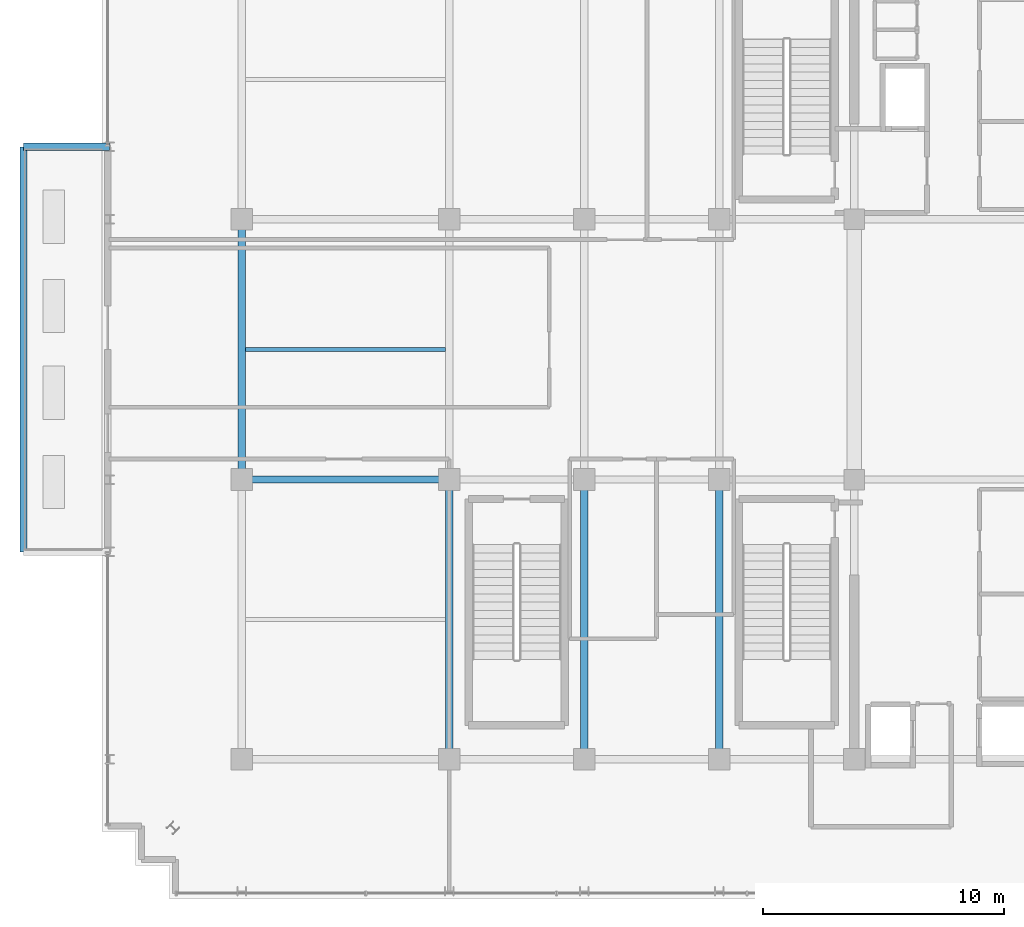
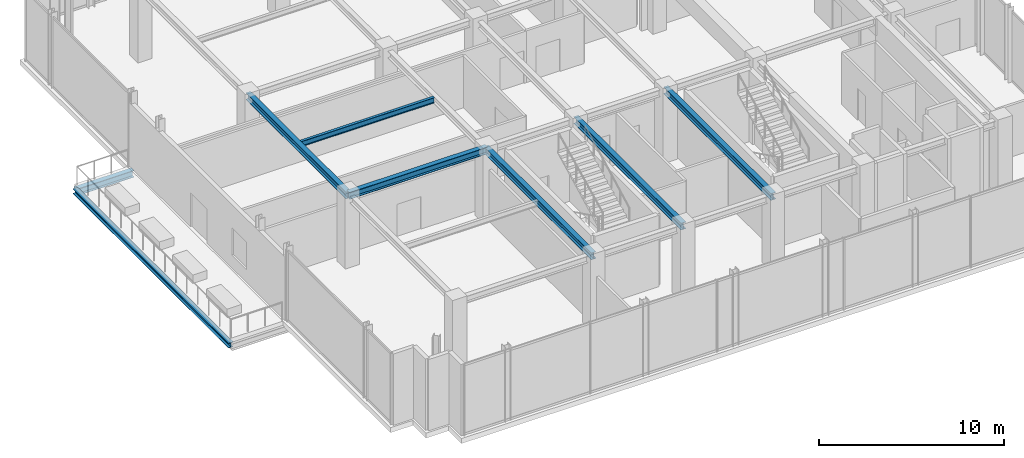
# One storey, part 8 of 28: 8 beams.
"""IFC4 building model written with IfcOpenShell, lengths in metres."""

from ifc_helpers import new_model, si_unit, direction, frame, origin, origin_2d, place, context, subcontext, project, spatial, i_section, extrude, source, transform, mapped, material, material_profile, profile_set, type_object, element, save


model = new_model("IFC4")

# Units and contexts
model_context = context("Model", 3, precision=1e-05, world=origin(), true_north=direction((0.0, 1.0)))
body_context = subcontext(model_context, "Body", "Model", "MODEL_VIEW")
ifc_project = project(units=[si_unit("LENGTHUNIT", "METRE"), si_unit("AREAUNIT", "SQUARE_METRE"), si_unit("VOLUMEUNIT", "CUBIC_METRE"), si_unit("PLANEANGLEUNIT", "RADIAN"), si_unit("MASSUNIT", "GRAM", prefix="KILO")], contexts=[model_context])

# Site, building, storey
site_placement = place(None, origin())
site = spatial("IfcSite", under=ifc_project, at=site_placement, CompositionType="ELEMENT")
building_placement = place(site_placement, origin())
building = spatial("IfcBuilding", under=site, at=building_placement, Name="Nahalor Promenade Grand Hotel", CompositionType="ELEMENT")
storey_placement = place(building_placement, frame((0.0, 0.0, 352.050048828125)))
storey = spatial("IfcBuildingStorey", under=building, at=storey_placement, Name="L90", CompositionType="ELEMENT", Elevation=352.050048828125)

# Beams
ifc_material = material(Name="Steel S355JR", Category="steel")
ifc_material_profile_1 = material_profile(ifc_material, i_section(OverallWidth=0.3, OverallDepth=0.45, WebThickness=0.014, FlangeThickness=0.026, at=origin_2d()), Name="HEB 450")
ifc_profile_set_1 = profile_set([ifc_material_profile_1], Name="Steel S355JR")
beam_type_1 = type_object("IfcBeamType", Name="Beam-Outrigger-HEB450", PredefinedType="BEAM", material=ifc_profile_set_1)
shared_shape_1 = source(origin(), body_context, "Body", "SweptSolid", [
    extrude(i_section(OverallWidth=0.3, OverallDepth=0.45, WebThickness=0.014, FlangeThickness=0.026, at=origin_2d()), origin(), (0.0, 0.0, 1.0), 3.570068359375),
])
beam_1_placement = place(storey_placement, frame((-26.050048828125, 8.39990234375, -0.505126953125), z_axis=(1.0, 0.0, 0.0), x_axis=(0.0, 1.0, 0.0)))
element("IfcBeam", 1, at=beam_1_placement, inside=storey, type_object=beam_type_1, Name="BM-L90-BELV-2", PredefinedType="BEAM", context=body_context, shape_type="MappedRepresentation", body=[
    mapped(shared_shape_1, transform((0.0, 0.0, 0.0), scale=1.0)),
])
ifc_material_profile_2 = material_profile(ifc_material, i_section(OverallWidth=0.3, OverallDepth=0.32, WebThickness=0.0115, FlangeThickness=0.0205, at=origin_2d()), Name="HEB 320")
ifc_profile_set_2 = profile_set([ifc_material_profile_2], Name="Steel S355JR")
beam_type_2 = type_object("IfcBeamType", Name="Beam-BalcEdge-HEB320", PredefinedType="SPANDREL", material=ifc_profile_set_2)
shared_shape_2 = source(origin(), body_context, "Body", "SweptSolid", [
    extrude(i_section(OverallWidth=0.3, OverallDepth=0.32, WebThickness=0.0115, FlangeThickness=0.0205, at=origin_2d()), origin(), (0.0, 0.0, 1.0), 16.7998046875),
])
beam_2_placement = place(storey_placement, frame((-26.050048828125, -8.39990234375, -0.43994140625), z_axis=(0.0, 1.0, 0.0), x_axis=(-1.0, 0.0, 0.0)))
element("IfcBeam", 2, at=beam_2_placement, inside=storey, type_object=beam_type_2, Name="BM-L90-BELV-E", PredefinedType="SPANDREL", context=body_context, shape_type="MappedRepresentation", body=[
    mapped(shared_shape_2, transform((0.0, 0.0, 0.0), scale=1.0)),
])
ifc_material_profile_3 = material_profile(ifc_material, i_section(OverallWidth=0.3, OverallDepth=0.45, WebThickness=0.014, FlangeThickness=0.026, at=origin_2d()), Name="HEB 450")
ifc_profile_set_3 = profile_set([ifc_material_profile_3], Name="Steel S355JR")
beam_type_3 = type_object("IfcBeamType", Name="Beam-Girder-HEB450", PredefinedType="BEAM", material=ifc_profile_set_3)
shared_shape_3 = source(origin(), body_context, "Body", "SweptSolid", [
    extrude(i_section(OverallWidth=0.3, OverallDepth=0.45, WebThickness=0.014, FlangeThickness=0.026, at=origin_2d()), origin(), (0.0, 0.0, 1.0), 8.60009765625),
])
beam_3_placement = place(storey_placement, frame((-17.0, -5.39990234375, 4.474853515625), z_axis=(1.0, 0.0, 0.0), x_axis=(0.0, 1.0, 0.0)))
element("IfcBeam", 3, at=beam_3_placement, inside=storey, type_object=beam_type_3, Name="BM-L90-GX-1-0", PredefinedType="BEAM", context=body_context, shape_type="MappedRepresentation", body=[
    mapped(shared_shape_3, transform((0.0, 0.0, 0.0), scale=1.0)),
])
shared_shape_4 = source(origin(), body_context, "Body", "SweptSolid", [
    extrude(i_section(OverallWidth=0.3, OverallDepth=0.45, WebThickness=0.014, FlangeThickness=0.026, at=origin_2d()), origin(), (0.0, 0.0, 1.0), 11.60009765625),
])
for number, where, z_axis, x_axis, name in (
    (4, (-8.39990234375, -17.0, 4.474853515625), (0.0, 1.0, 0.0), (-1.0, 0.0, 0.0), "BM-L90-GY-1-0"),
    (5, (-2.800048828125, -17.0, 4.474853515625), (0.0, 1.0, 0.0), (-1.0, 0.0, 0.0), "BM-L90-GY-2-0"),
    (6, (2.800048828125, -17.0, 4.474853515625), (0.0, 1.0, 0.0), (-1.0, 0.0, 0.0), "BM-L90-GY-3-0"),
):
    element("IfcBeam", number, at=place(storey_placement, frame(where, z_axis=z_axis, x_axis=x_axis)), inside=storey, type_object=beam_type_3, Name=name, PredefinedType="BEAM", context=body_context, shape_type="MappedRepresentation", body=[
        mapped(shared_shape_4, transform((0.0, 0.0, 0.0), scale=1.0)),
    ])
shared_shape_5 = source(origin(), body_context, "Body", "SweptSolid", [
    extrude(i_section(OverallWidth=0.3, OverallDepth=0.45, WebThickness=0.014, FlangeThickness=0.026, at=origin_2d()), origin(), (0.0, 0.0, 1.0), 10.7998046875),
])
beam_4_placement = place(storey_placement, frame((-17.0, -5.39990234375, 4.474853515625), z_axis=(0.0, 1.0, 0.0), x_axis=(-1.0, 0.0, 0.0)))
element("IfcBeam", 7, at=beam_4_placement, inside=storey, type_object=beam_type_3, Name="BM-L90-GY-0-1", PredefinedType="BEAM", context=body_context, shape_type="MappedRepresentation", body=[
    mapped(shared_shape_5, transform((0.0, 0.0, 0.0), scale=1.0)),
])
ifc_material_profile_4 = material_profile(ifc_material, i_section(OverallWidth=0.17, OverallDepth=0.36, WebThickness=0.008, FlangeThickness=0.0127, at=origin_2d()), Name="IPE 360")
ifc_profile_set_4 = profile_set([ifc_material_profile_4], Name="Steel S355JR")
beam_type_4 = type_object("IfcBeamType", Name="Beam-Joist-IPE360", PredefinedType="JOIST", material=ifc_profile_set_4)
shared_shape_6 = source(origin(), body_context, "Body", "SweptSolid", [
    extrude(i_section(OverallWidth=0.17, OverallDepth=0.36, WebThickness=0.008, FlangeThickness=0.0127, at=origin_2d()), origin(), (0.0, 0.0, 1.0), 8.300048828125),
])
beam_5_placement = place(storey_placement, frame((-16.85009765625, 0.0, 4.52001953125), z_axis=(1.0, 0.0, 0.0), x_axis=(0.0, 1.0, 0.0)))
element("IfcBeam", 8, at=beam_5_placement, inside=storey, type_object=beam_type_4, Name="BM-L90-JSC-0", PredefinedType="JOIST", context=body_context, shape_type="MappedRepresentation", body=[
    mapped(shared_shape_6, transform((0.0, 0.0, 0.0), scale=1.0)),
])

save(model, "model.ifc")
